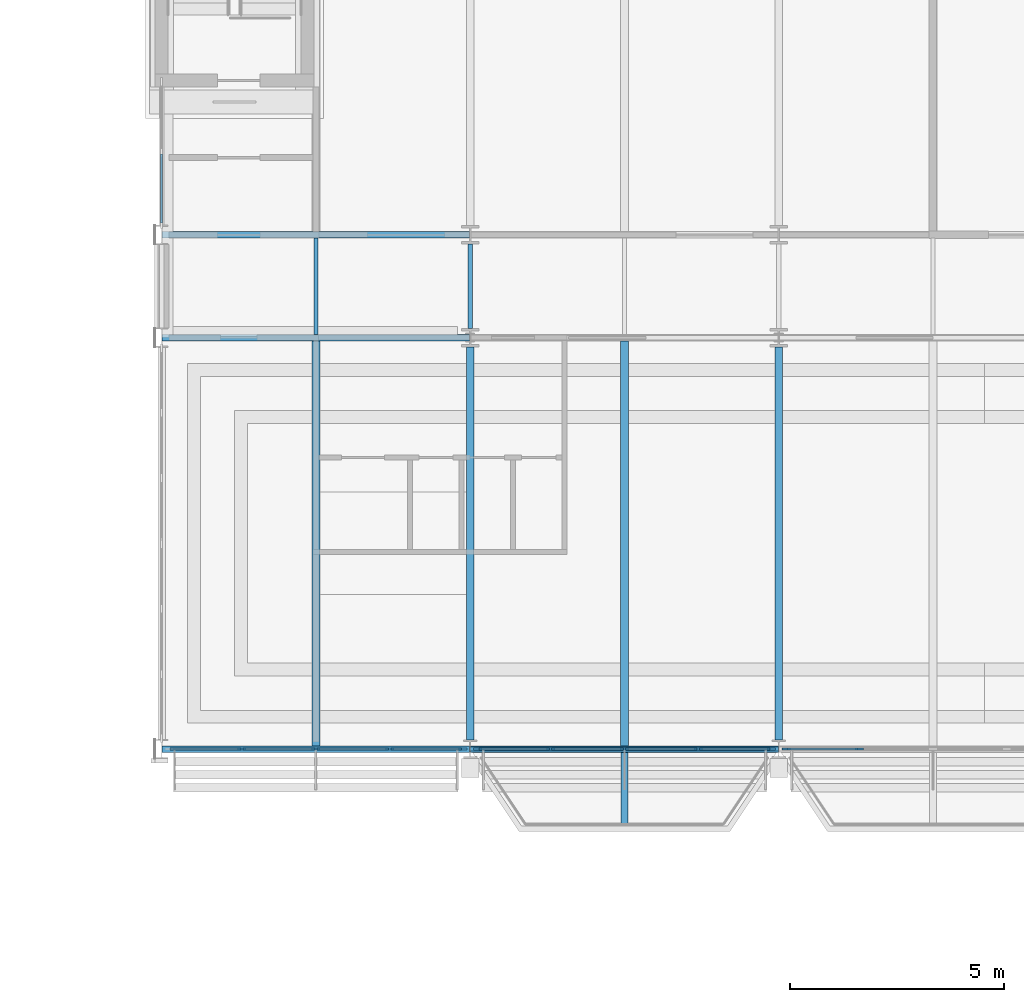
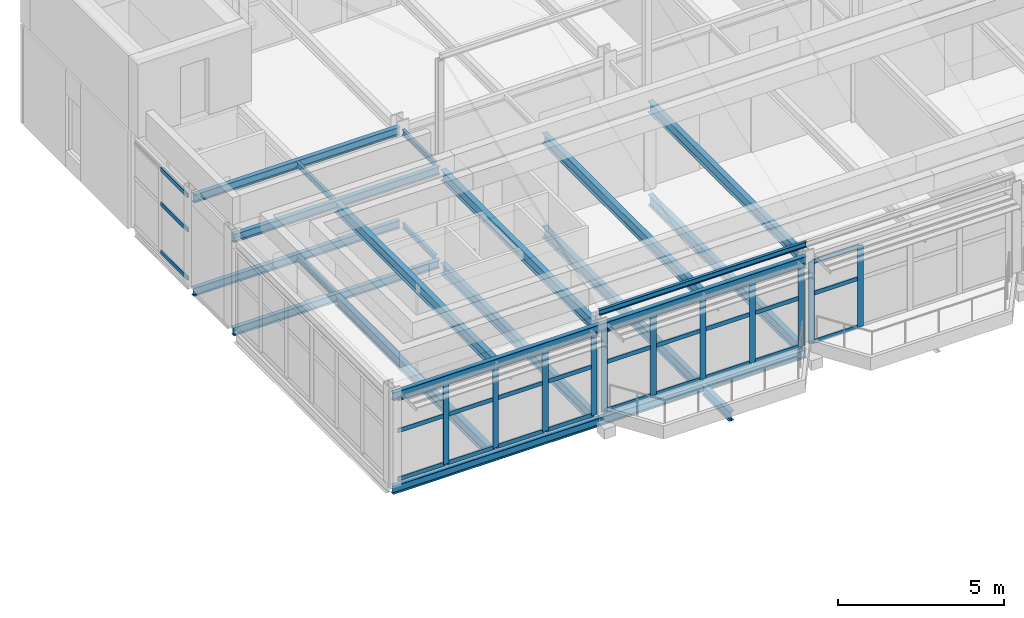
# One storey, part 28 of 68: 41 members, 22 beams, 4 elements without a shape of their own.
"""IFC4 building model written with IfcOpenShell, lengths in metres."""

from ifc_helpers import new_model, si_unit, direction, frame, origin, origin_2d, place, context, subcontext, project, spatial, rectangle, i_section, extrude, material, material_profile, profile_set, type_object, element, aggregate, save


model = new_model("IFC4")

# Units and contexts
model_context = context("Model", 3, precision=1e-05, world=origin(), true_north=direction((0.0, 1.0)))
body_context = subcontext(model_context, "Body", "Model", "MODEL_VIEW")
ifc_project = project(units=[si_unit("LENGTHUNIT", "METRE"), si_unit("AREAUNIT", "SQUARE_METRE"), si_unit("VOLUMEUNIT", "CUBIC_METRE"), si_unit("PLANEANGLEUNIT", "RADIAN"), si_unit("MASSUNIT", "GRAM", prefix="KILO")], contexts=[model_context])

# Site, building, storey
site_placement = place(None, origin())
site = spatial("IfcSite", under=ifc_project, at=site_placement, CompositionType="ELEMENT")
building_placement = place(site_placement, origin())
building = spatial("IfcBuilding", under=site, at=building_placement, Name="Kupolbacken Congress Centre", CompositionType="ELEMENT")
storey_placement = place(building_placement, frame((0.0, 0.0, 25.199951171875)))
storey = spatial("IfcBuildingStorey", under=building, at=storey_placement, Name="L07", CompositionType="ELEMENT", Elevation=25.199951171875)

# Beams
ifc_material_1 = material(Name="Steel S355", Category="steel")
ifc_material_profile_1 = material_profile(ifc_material_1, i_section(OverallWidth=0.10009765625, OverallDepth=0.199951171875, WebThickness=0.005615234375, FlangeThickness=0.008544921875, FilletRadius=0.011962890625, at=origin_2d()), Name="IPE 200")
ifc_profile_set_1 = profile_set([ifc_material_profile_1], Name="Steel S355")
beam_type_1 = type_object("IfcBeamType", Name="B01 beam IPE 200", PredefinedType="BEAM", material=ifc_profile_set_1)
beam_1_placement = place(storey_placement, frame((68.39990234375, 132.074951171875, -0.239990234375), z_axis=(0.0, 1.0, 0.0), x_axis=(-1.0, 0.0, 0.0)))
element("IfcBeam", 1, at=beam_1_placement, inside=storey, type_object=beam_type_1, Name="S/floor/T/L07/S037", PredefinedType="BEAM", context=body_context, shape_type="SweptSolid", body=[
    extrude(i_section(OverallWidth=0.10009765625, OverallDepth=0.199951171875, WebThickness=0.005615234375, FlangeThickness=0.008544921875, FilletRadius=0.011962890625, at=origin_2d()), origin(), (0.0, 0.0, 1.0), 2.25),
])
beam_2_placement = place(storey_placement, frame((72.0, 132.21240234375, -0.239990234375), z_axis=(0.0, 1.0, 0.0), x_axis=(-1.0, 0.0, 0.0)))
element("IfcBeam", 2, at=beam_2_placement, inside=storey, type_object=beam_type_1, Name="S/floor/T/L07/S040", PredefinedType="BEAM", context=body_context, shape_type="SweptSolid", body=[
    extrude(i_section(OverallWidth=0.10009765625, OverallDepth=0.199951171875, WebThickness=0.005615234375, FlangeThickness=0.008544921875, FilletRadius=0.011962890625, at=origin_2d()), origin(), (0.0, 0.0, 1.0), 1.97509765625),
])
beam_3_placement = place(storey_placement, frame((68.39990234375, 132.074951171875, 3.18994140625), z_axis=(0.0, 1.0, 0.0), x_axis=(-1.0, 0.0, 0.0)))
element("IfcBeam", 3, at=beam_3_placement, inside=storey, type_object=beam_type_1, Name="S/floor/T/ROOF/S037", PredefinedType="BEAM", context=body_context, shape_type="SweptSolid", body=[
    extrude(i_section(OverallWidth=0.10009765625, OverallDepth=0.199951171875, WebThickness=0.005615234375, FlangeThickness=0.008544921875, FilletRadius=0.011962890625, at=origin_2d()), origin(), (0.0, 0.0, 1.0), 2.25),
])
beam_4_placement = place(storey_placement, frame((72.0, 132.21240234375, 3.18994140625), z_axis=(0.0, 1.0, 0.0), x_axis=(-1.0, 0.0, 0.0)))
element("IfcBeam", 4, at=beam_4_placement, inside=storey, type_object=beam_type_1, Name="S/floor/T/ROOF/S040", PredefinedType="BEAM", context=body_context, shape_type="SweptSolid", body=[
    extrude(i_section(OverallWidth=0.10009765625, OverallDepth=0.199951171875, WebThickness=0.005615234375, FlangeThickness=0.008544921875, FilletRadius=0.011962890625, at=origin_2d()), origin(), (0.0, 0.0, 1.0), 1.97509765625),
])
beam_5_placement = place(storey_placement, frame((72.0, 122.39990234375, 3.699951171875), z_axis=(1.0, 0.0, 0.0), x_axis=(0.0, 1.0, 0.0)))
element("IfcBeam", 5, at=beam_5_placement, inside=storey, type_object=beam_type_1, Name="E/T/roof/R1/low0", PredefinedType="BEAM", context=body_context, shape_type="SweptSolid", body=[
    extrude(i_section(OverallWidth=0.10009765625, OverallDepth=0.199951171875, WebThickness=0.005615234375, FlangeThickness=0.008544921875, FilletRadius=0.011962890625, at=origin_2d()), origin(), (0.0, 0.0, 1.0), 7.199951171875),
])
ifc_material_2 = material(Name="Steel S355", Category="steel")
ifc_material_profile_2 = material_profile(ifc_material_2, i_section(OverallWidth=0.14990234375, OverallDepth=0.300048828125, WebThickness=0.007080078125, FlangeThickness=0.0107421875, FilletRadius=0.014892578125, at=origin_2d()), Name="IPE 300")
ifc_profile_set_2 = profile_set([ifc_material_profile_2], Name="Steel S355")
beam_type_2 = type_object("IfcBeamType", Name="B04 beam IPE 300", PredefinedType="BEAM", material=ifc_profile_set_2)
beam_6_placement = place(storey_placement, frame((64.806884765625, 122.39990234375, -0.2900390625), z_axis=(1.0, 0.0, 0.0), x_axis=(0.0, 1.0, 0.0)))
element("IfcBeam", 6, at=beam_6_placement, inside=storey, type_object=beam_type_2, Name="S/floor/T/L07/R001", PredefinedType="BEAM", context=body_context, shape_type="SweptSolid", body=[
    extrude(i_section(OverallWidth=0.14990234375, OverallDepth=0.300048828125, WebThickness=0.007080078125, FlangeThickness=0.0107421875, FilletRadius=0.014892578125, at=origin_2d()), origin(), (0.0, 0.0, 1.0), 7.1826171875),
])
beam_7_placement = place(storey_placement, frame((72.010498046875, 122.39990234375, -0.2900390625), z_axis=(1.0, 0.0, 0.0), x_axis=(0.0, 1.0, 0.0)))
element("IfcBeam", 7, at=beam_7_placement, inside=storey, type_object=beam_type_2, Name="S/floor/T/L07/R002", PredefinedType="BEAM", context=body_context, shape_type="SweptSolid", body=[
    extrude(i_section(OverallWidth=0.14990234375, OverallDepth=0.300048828125, WebThickness=0.007080078125, FlangeThickness=0.0107421875, FilletRadius=0.014892578125, at=origin_2d()), origin(), (0.0, 0.0, 1.0), 7.178955078125),
])
for number, where, z_axis, x_axis, name in (
    (8, (64.806884765625, 132.0, -0.2900390625), (1.0, 0.0, 0.0), (0.0, 1.0, 0.0), "S/floor/T/L07/R009"),
    (9, (64.806884765625, 134.39990234375, -0.2900390625), (1.0, 0.0, 0.0), (0.0, 1.0, 0.0), "S/floor/T/L07/R017"),
):
    element("IfcBeam", number, at=place(storey_placement, frame(where, z_axis=z_axis, x_axis=x_axis)), inside=storey, type_object=beam_type_2, Name=name, PredefinedType="BEAM", context=body_context, shape_type="SweptSolid", body=[
        extrude(i_section(OverallWidth=0.14990234375, OverallDepth=0.300048828125, WebThickness=0.007080078125, FlangeThickness=0.0107421875, FilletRadius=0.014892578125, at=origin_2d()), origin(), (0.0, 0.0, 1.0), 7.1767578125),
    ])
beam_8_placement = place(storey_placement, frame((64.806884765625, 122.39990234375, 3.14013671875), z_axis=(1.0, 0.0, 0.0), x_axis=(0.0, 1.0, 0.0)))
element("IfcBeam", 10, at=beam_8_placement, inside=storey, type_object=beam_type_2, Name="S/floor/T/ROOF/R001", PredefinedType="BEAM", context=body_context, shape_type="SweptSolid", body=[
    extrude(i_section(OverallWidth=0.14990234375, OverallDepth=0.300048828125, WebThickness=0.007080078125, FlangeThickness=0.0107421875, FilletRadius=0.014892578125, at=origin_2d()), origin(), (0.0, 0.0, 1.0), 7.1826171875),
])
beam_9_placement = place(storey_placement, frame((72.010498046875, 122.39990234375, 3.14013671875), z_axis=(1.0, 0.0, 0.0), x_axis=(0.0, 1.0, 0.0)))
element("IfcBeam", 11, at=beam_9_placement, inside=storey, type_object=beam_type_2, Name="S/floor/T/ROOF/R002", PredefinedType="BEAM", context=body_context, shape_type="SweptSolid", body=[
    extrude(i_section(OverallWidth=0.14990234375, OverallDepth=0.300048828125, WebThickness=0.007080078125, FlangeThickness=0.0107421875, FilletRadius=0.014892578125, at=origin_2d()), origin(), (0.0, 0.0, 1.0), 7.178955078125),
])
for number, where, z_axis, x_axis, name in (
    (12, (64.806884765625, 132.0, 3.14013671875), (1.0, 0.0, 0.0), (0.0, 1.0, 0.0), "S/floor/T/ROOF/R009"),
    (13, (64.806884765625, 134.39990234375, 3.14013671875), (1.0, 0.0, 0.0), (0.0, 1.0, 0.0), "S/floor/T/ROOF/R017"),
):
    element("IfcBeam", number, at=place(storey_placement, frame(where, z_axis=z_axis, x_axis=x_axis)), inside=storey, type_object=beam_type_2, Name=name, PredefinedType="BEAM", context=body_context, shape_type="SweptSolid", body=[
        extrude(i_section(OverallWidth=0.14990234375, OverallDepth=0.300048828125, WebThickness=0.007080078125, FlangeThickness=0.0107421875, FilletRadius=0.014892578125, at=origin_2d()), origin(), (0.0, 0.0, 1.0), 7.1767578125),
    ])
ifc_material_3 = material(Name="Steel S355", Category="steel")
ifc_material_profile_3 = material_profile(ifc_material_3, i_section(OverallWidth=0.169921875, OverallDepth=0.360107421875, WebThickness=0.008056640625, FlangeThickness=0.0126953125, FilletRadius=0.01806640625, at=origin_2d()), Name="IPE 360")
ifc_profile_set_3 = profile_set([ifc_material_profile_3], Name="Steel S355")
beam_type_3 = type_object("IfcBeamType", Name="B06 beam IPE 360", PredefinedType="BEAM", material=ifc_profile_set_3)
beam_10_placement = place(storey_placement, frame((75.60009765625, 122.324951171875, -0.320068359375), z_axis=(0.0, -1.0, 0.0), x_axis=(1.0, 0.0, 0.0)))
element("IfcBeam", 14, at=beam_10_placement, inside=storey, type_object=beam_type_3, Name="S/floor/T/L07/C082", PredefinedType="BEAM", context=body_context, shape_type="SweptSolid", body=[
    extrude(i_section(OverallWidth=0.169921875, OverallDepth=0.360107421875, WebThickness=0.008056640625, FlangeThickness=0.0126953125, FilletRadius=0.01806640625, at=origin_2d()), origin(), (0.0, 0.0, 1.0), 1.6650390625),
])
ifc_material_4 = material(Name="Steel S355", Category="steel")
ifc_material_profile_4 = material_profile(ifc_material_4, i_section(OverallWidth=0.179931640625, OverallDepth=0.39990234375, WebThickness=0.008544921875, FlangeThickness=0.013427734375, FilletRadius=0.02099609375, at=origin_2d()), Name="IPE 400")
ifc_profile_set_4 = profile_set([ifc_material_profile_4], Name="Steel S355")
beam_type_4 = type_object("IfcBeamType", Name="B07 beam IPE 400", PredefinedType="BEAM", material=ifc_profile_set_4)
beam_11_placement = place(storey_placement, frame((68.39990234375, 122.47509765625, -0.33984375), z_axis=(0.0, 1.0, 0.0), x_axis=(-1.0, 0.0, 0.0)))
element("IfcBeam", 15, at=beam_11_placement, inside=storey, type_object=beam_type_4, Name="S/floor/T/L07/S036", PredefinedType="BEAM", context=body_context, shape_type="SweptSolid", body=[
    extrude(i_section(OverallWidth=0.179931640625, OverallDepth=0.39990234375, WebThickness=0.008544921875, FlangeThickness=0.013427734375, FilletRadius=0.02099609375, at=origin_2d()), origin(), (0.0, 0.0, 1.0), 9.449951171875),
])
beam_12_placement = place(storey_placement, frame((72.0, 122.615966796875, -0.33984375), z_axis=(0.0, 1.0, 0.0), x_axis=(-1.0, 0.0, 0.0)))
element("IfcBeam", 16, at=beam_12_placement, inside=storey, type_object=beam_type_4, Name="S/floor/T/L07/S039", PredefinedType="BEAM", context=body_context, shape_type="SweptSolid", body=[
    extrude(i_section(OverallWidth=0.179931640625, OverallDepth=0.39990234375, WebThickness=0.008544921875, FlangeThickness=0.013427734375, FilletRadius=0.02099609375, at=origin_2d()), origin(), (0.0, 0.0, 1.0), 9.171630859375),
])
beam_13_placement = place(storey_placement, frame((75.60009765625, 122.47509765625, -0.33984375), z_axis=(0.0, 1.0, 0.0), x_axis=(-1.0, 0.0, 0.0)))
element("IfcBeam", 17, at=beam_13_placement, inside=storey, type_object=beam_type_4, Name="S/floor/T/L07/S042", PredefinedType="BEAM", context=body_context, shape_type="SweptSolid", body=[
    extrude(i_section(OverallWidth=0.179931640625, OverallDepth=0.39990234375, WebThickness=0.008544921875, FlangeThickness=0.013427734375, FilletRadius=0.02099609375, at=origin_2d()), origin(), (0.0, 0.0, 1.0), 9.449951171875),
])
beam_14_placement = place(storey_placement, frame((79.199951171875, 122.615966796875, -0.33984375), z_axis=(0.0, 1.0, 0.0), x_axis=(-1.0, 0.0, 0.0)))
element("IfcBeam", 18, at=beam_14_placement, inside=storey, type_object=beam_type_4, Name="S/floor/T/L07/S045", PredefinedType="BEAM", context=body_context, shape_type="SweptSolid", body=[
    extrude(i_section(OverallWidth=0.179931640625, OverallDepth=0.39990234375, WebThickness=0.008544921875, FlangeThickness=0.013427734375, FilletRadius=0.02099609375, at=origin_2d()), origin(), (0.0, 0.0, 1.0), 9.171630859375),
])
beam_15_placement = place(storey_placement, frame((68.39990234375, 122.47509765625, 3.090087890625), z_axis=(0.0, 1.0, 0.0), x_axis=(-1.0, 0.0, 0.0)))
element("IfcBeam", 19, at=beam_15_placement, inside=storey, type_object=beam_type_4, Name="S/floor/T/ROOF/S036", PredefinedType="BEAM", context=body_context, shape_type="SweptSolid", body=[
    extrude(i_section(OverallWidth=0.179931640625, OverallDepth=0.39990234375, WebThickness=0.008544921875, FlangeThickness=0.013427734375, FilletRadius=0.02099609375, at=origin_2d()), origin(), (0.0, 0.0, 1.0), 9.449951171875),
])
beam_16_placement = place(storey_placement, frame((72.0, 122.615966796875, 3.090087890625), z_axis=(0.0, 1.0, 0.0), x_axis=(-1.0, 0.0, 0.0)))
element("IfcBeam", 20, at=beam_16_placement, inside=storey, type_object=beam_type_4, Name="S/floor/T/ROOF/S039", PredefinedType="BEAM", context=body_context, shape_type="SweptSolid", body=[
    extrude(i_section(OverallWidth=0.179931640625, OverallDepth=0.39990234375, WebThickness=0.008544921875, FlangeThickness=0.013427734375, FilletRadius=0.02099609375, at=origin_2d()), origin(), (0.0, 0.0, 1.0), 9.171630859375),
])
beam_17_placement = place(storey_placement, frame((75.60009765625, 122.47509765625, 3.090087890625), z_axis=(0.0, 1.0, 0.0), x_axis=(-1.0, 0.0, 0.0)))
element("IfcBeam", 21, at=beam_17_placement, inside=storey, type_object=beam_type_4, Name="S/floor/T/ROOF/S042", PredefinedType="BEAM", context=body_context, shape_type="SweptSolid", body=[
    extrude(i_section(OverallWidth=0.179931640625, OverallDepth=0.39990234375, WebThickness=0.008544921875, FlangeThickness=0.013427734375, FilletRadius=0.02099609375, at=origin_2d()), origin(), (0.0, 0.0, 1.0), 9.449951171875),
])
beam_18_placement = place(storey_placement, frame((79.199951171875, 122.615966796875, 3.090087890625), z_axis=(0.0, 1.0, 0.0), x_axis=(-1.0, 0.0, 0.0)))
element("IfcBeam", 22, at=beam_18_placement, inside=storey, type_object=beam_type_4, Name="S/floor/T/ROOF/S045", PredefinedType="BEAM", context=body_context, shape_type="SweptSolid", body=[
    extrude(i_section(OverallWidth=0.179931640625, OverallDepth=0.39990234375, WebThickness=0.008544921875, FlangeThickness=0.013427734375, FilletRadius=0.02099609375, at=origin_2d()), origin(), (0.0, 0.0, 1.0), 9.171630859375),
])

# Curtain wall, members
ifc_material_5 = material(Name="Aluminium mullion-transom frame with glass", Category="aluminium")
curtain_wall_type = type_object("IfcCurtainWallType", Name="CW1 curtain wall 7200x3600", PredefinedType="NOTDEFINED", material=ifc_material_5)
curtain_wall_1_placement = place(storey_placement, origin())
curtain_wall_1 = element("IfcCurtainWall", 23, at=curtain_wall_1_placement, inside=storey, type_object=curtain_wall_type, Name="E/T/S/L07/112/g0", PredefinedType="NOTDEFINED")
ifc_material_6 = material(Name="Aluminium alloy", Category="aluminium")
ifc_material_profile_5 = material_profile(ifc_material_6, rectangle(XDim=0.050048828125, YDim=0.199951171875, at=origin_2d()), Name="50 x 200")
ifc_profile_set_5 = profile_set([ifc_material_profile_5], Name="Aluminium alloy")
member_type_1 = type_object("IfcMemberType", Name="MU2 mullion 50x200", PredefinedType="MULLION", material=ifc_profile_set_5)
member_1_placement = place(storey_placement, frame((66.674072265625, 122.39990234375, 0.0), z_axis=(0.0, 0.0, 1.0), x_axis=(0.0, 1.0, 0.0)))
member_1 = element("IfcMember", 24, at=member_1_placement, type_object=member_type_1, Name="CW1 mullion 2", PredefinedType="MULLION", context=body_context, shape_type="SweptSolid", body=[
    extrude(rectangle(XDim=0.050048828125, YDim=0.199951171875, at=origin_2d()), origin(), (0.0, 0.0, 1.0), 2.989990234375),
])
member_2_placement = place(storey_placement, frame((68.398193359375, 122.39990234375, 0.0), z_axis=(0.0, 0.0, 1.0), x_axis=(0.0, 1.0, 0.0)))
member_2 = element("IfcMember", 25, at=member_2_placement, type_object=member_type_1, Name="CW1 mullion 3", PredefinedType="MULLION", context=body_context, shape_type="SweptSolid", body=[
    extrude(rectangle(XDim=0.050048828125, YDim=0.199951171875, at=origin_2d()), origin(), (0.0, 0.0, 1.0), 2.989990234375),
])
member_3_placement = place(storey_placement, frame((70.122314453125, 122.39990234375, 0.0), z_axis=(0.0, 0.0, 1.0), x_axis=(0.0, 1.0, 0.0)))
member_3 = element("IfcMember", 26, at=member_3_placement, type_object=member_type_1, Name="CW1 mullion 4", PredefinedType="MULLION", context=body_context, shape_type="SweptSolid", body=[
    extrude(rectangle(XDim=0.050048828125, YDim=0.199951171875, at=origin_2d()), origin(), (0.0, 0.0, 1.0), 2.989990234375),
])
member_4_placement = place(storey_placement, frame((71.821533203125, 122.39990234375, 0.0), z_axis=(0.0, 0.0, 1.0), x_axis=(0.0, 1.0, 0.0)))
member_4 = element("IfcMember", 27, at=member_4_placement, type_object=member_type_1, Name="CW1 mullion 5", PredefinedType="MULLION", context=body_context, shape_type="SweptSolid", body=[
    extrude(rectangle(XDim=0.050048828125, YDim=0.199951171875, at=origin_2d()), origin(), (0.0, 0.0, 1.0), 2.989990234375),
])

curtain_wall_2_placement = place(storey_placement, origin())
curtain_wall_2 = element("IfcCurtainWall", 28, at=curtain_wall_2_placement, inside=storey, type_object=curtain_wall_type, Name="E/T/S/L07/113/g0", PredefinedType="NOTDEFINED")
member_5_placement = place(storey_placement, frame((72.178466796875, 122.39990234375, 0.0), z_axis=(0.0, 0.0, 1.0), x_axis=(0.0, 1.0, 0.0)))
member_5 = element("IfcMember", 29, at=member_5_placement, type_object=member_type_1, Name="CW1 mullion 1", PredefinedType="MULLION", context=body_context, shape_type="SweptSolid", body=[
    extrude(rectangle(XDim=0.050048828125, YDim=0.199951171875, at=origin_2d()), origin(), (0.0, 0.0, 1.0), 2.989990234375),
])
member_6_placement = place(storey_placement, frame((73.876708984375, 122.39990234375, 0.0), z_axis=(0.0, 0.0, 1.0), x_axis=(0.0, 1.0, 0.0)))
member_6 = element("IfcMember", 30, at=member_6_placement, type_object=member_type_1, Name="CW1 mullion 2", PredefinedType="MULLION", context=body_context, shape_type="SweptSolid", body=[
    extrude(rectangle(XDim=0.050048828125, YDim=0.199951171875, at=origin_2d()), origin(), (0.0, 0.0, 1.0), 2.989990234375),
])
member_7_placement = place(storey_placement, frame((75.60009765625, 122.39990234375, 0.0), z_axis=(0.0, 0.0, 1.0), x_axis=(0.0, 1.0, 0.0)))
member_7 = element("IfcMember", 31, at=member_7_placement, type_object=member_type_1, Name="CW1 mullion 3", PredefinedType="MULLION", context=body_context, shape_type="SweptSolid", body=[
    extrude(rectangle(XDim=0.050048828125, YDim=0.199951171875, at=origin_2d()), origin(), (0.0, 0.0, 1.0), 2.989990234375),
])
member_8_placement = place(storey_placement, frame((77.3232421875, 122.39990234375, 0.0), z_axis=(0.0, 0.0, 1.0), x_axis=(0.0, 1.0, 0.0)))
member_8 = element("IfcMember", 32, at=member_8_placement, type_object=member_type_1, Name="CW1 mullion 4", PredefinedType="MULLION", context=body_context, shape_type="SweptSolid", body=[
    extrude(rectangle(XDim=0.050048828125, YDim=0.199951171875, at=origin_2d()), origin(), (0.0, 0.0, 1.0), 2.989990234375),
])
member_9_placement = place(storey_placement, frame((79.021484375, 122.39990234375, 0.0), z_axis=(0.0, 0.0, 1.0), x_axis=(0.0, 1.0, 0.0)))
member_9 = element("IfcMember", 33, at=member_9_placement, type_object=member_type_1, Name="CW1 mullion 5", PredefinedType="MULLION", context=body_context, shape_type="SweptSolid", body=[
    extrude(rectangle(XDim=0.050048828125, YDim=0.199951171875, at=origin_2d()), origin(), (0.0, 0.0, 1.0), 2.989990234375),
])

curtain_wall_3_placement = place(storey_placement, origin())
curtain_wall_3 = element("IfcCurtainWall", 34, at=curtain_wall_3_placement, inside=storey, type_object=curtain_wall_type, Name="E/T/S/L07/114/g0", PredefinedType="NOTDEFINED")
member_10_placement = place(storey_placement, frame((79.37841796875, 122.39990234375, 0.0), z_axis=(0.0, 0.0, 1.0), x_axis=(0.0, 1.0, 0.0)))
member_10 = element("IfcMember", 35, at=member_10_placement, type_object=member_type_1, Name="CW1 mullion 1", PredefinedType="MULLION", context=body_context, shape_type="SweptSolid", body=[
    extrude(rectangle(XDim=0.050048828125, YDim=0.199951171875, at=origin_2d()), origin(), (0.0, 0.0, 1.0), 2.989990234375),
])
member_11_placement = place(storey_placement, frame((81.07666015625, 122.39990234375, 0.0), z_axis=(0.0, 0.0, 1.0), x_axis=(0.0, 1.0, 0.0)))
member_11 = element("IfcMember", 36, at=member_11_placement, type_object=member_type_1, Name="CW1 mullion 2", PredefinedType="MULLION", context=body_context, shape_type="SweptSolid", body=[
    extrude(rectangle(XDim=0.050048828125, YDim=0.199951171875, at=origin_2d()), origin(), (0.0, 0.0, 1.0), 2.989990234375),
])

# Member
ifc_material_7 = material(Name="Aluminium alloy", Category="aluminium")
ifc_material_profile_6 = material_profile(ifc_material_7, rectangle(XDim=0.050048828125, YDim=0.14990234375, at=origin_2d()), Name="50 x 150")
ifc_profile_set_6 = profile_set([ifc_material_profile_6], Name="Aluminium alloy")
member_type_2 = type_object("IfcMemberType", Name="TR2 transom 50x150", PredefinedType="MULLION", material=ifc_profile_set_6)
member_12_placement = place(storey_placement, frame((65.0, 122.39990234375, 0.025146484375), z_axis=(1.0, 0.0, 0.0), x_axis=(0.0, 1.0, 0.0)))
member_12 = element("IfcMember", 37, at=member_12_placement, type_object=member_type_2, Name="CW1 transom 1.1", PredefinedType="MULLION", context=body_context, shape_type="SweptSolid", body=[
    extrude(rectangle(XDim=0.050048828125, YDim=0.14990234375, at=origin_2d()), origin(), (0.0, 0.0, 1.0), 1.649169921875),
])

member_13_placement = place(storey_placement, frame((65.0, 122.39990234375, 1.800048828125), z_axis=(1.0, 0.0, 0.0), x_axis=(0.0, 1.0, 0.0)))
member_13 = element("IfcMember", 38, at=member_13_placement, type_object=member_type_2, Name="CW1 transom 1.2", PredefinedType="MULLION", context=body_context, shape_type="SweptSolid", body=[
    extrude(rectangle(XDim=0.050048828125, YDim=0.14990234375, at=origin_2d()), origin(), (0.0, 0.0, 1.0), 1.649169921875),
])

member_14_placement = place(storey_placement, frame((65.0, 122.39990234375, 2.965087890625), z_axis=(1.0, 0.0, 0.0), x_axis=(0.0, 1.0, 0.0)))
member_14 = element("IfcMember", 39, at=member_14_placement, type_object=member_type_2, Name="CW1 transom 1.3", PredefinedType="MULLION", context=body_context, shape_type="SweptSolid", body=[
    extrude(rectangle(XDim=0.050048828125, YDim=0.14990234375, at=origin_2d()), origin(), (0.0, 0.0, 1.0), 1.649169921875),
])

member_15_placement = place(storey_placement, frame((66.69921875, 122.39990234375, 0.025146484375), z_axis=(1.0, 0.0, 0.0), x_axis=(0.0, 1.0, 0.0)))
member_15 = element("IfcMember", 40, at=member_15_placement, type_object=member_type_2, Name="CW1 transom 2.1", PredefinedType="MULLION", context=body_context, shape_type="SweptSolid", body=[
    extrude(rectangle(XDim=0.050048828125, YDim=0.14990234375, at=origin_2d()), origin(), (0.0, 0.0, 1.0), 1.674072265625),
])

member_16_placement = place(storey_placement, frame((66.69921875, 122.39990234375, 1.800048828125), z_axis=(1.0, 0.0, 0.0), x_axis=(0.0, 1.0, 0.0)))
member_16 = element("IfcMember", 41, at=member_16_placement, type_object=member_type_2, Name="CW1 transom 2.2", PredefinedType="MULLION", context=body_context, shape_type="SweptSolid", body=[
    extrude(rectangle(XDim=0.050048828125, YDim=0.14990234375, at=origin_2d()), origin(), (0.0, 0.0, 1.0), 1.674072265625),
])

member_17_placement = place(storey_placement, frame((66.69921875, 122.39990234375, 2.965087890625), z_axis=(1.0, 0.0, 0.0), x_axis=(0.0, 1.0, 0.0)))
member_17 = element("IfcMember", 42, at=member_17_placement, type_object=member_type_2, Name="CW1 transom 2.3", PredefinedType="MULLION", context=body_context, shape_type="SweptSolid", body=[
    extrude(rectangle(XDim=0.050048828125, YDim=0.14990234375, at=origin_2d()), origin(), (0.0, 0.0, 1.0), 1.674072265625),
])

member_18_placement = place(storey_placement, frame((68.42333984375, 122.39990234375, 0.025146484375), z_axis=(1.0, 0.0, 0.0), x_axis=(0.0, 1.0, 0.0)))
member_18 = element("IfcMember", 43, at=member_18_placement, type_object=member_type_2, Name="CW1 transom 3.1", PredefinedType="MULLION", context=body_context, shape_type="SweptSolid", body=[
    extrude(rectangle(XDim=0.050048828125, YDim=0.14990234375, at=origin_2d()), origin(), (0.0, 0.0, 1.0), 1.674072265625),
])

member_19_placement = place(storey_placement, frame((68.42333984375, 122.39990234375, 1.800048828125), z_axis=(1.0, 0.0, 0.0), x_axis=(0.0, 1.0, 0.0)))
member_19 = element("IfcMember", 44, at=member_19_placement, type_object=member_type_2, Name="CW1 transom 3.2", PredefinedType="MULLION", context=body_context, shape_type="SweptSolid", body=[
    extrude(rectangle(XDim=0.050048828125, YDim=0.14990234375, at=origin_2d()), origin(), (0.0, 0.0, 1.0), 1.674072265625),
])

member_20_placement = place(storey_placement, frame((68.42333984375, 122.39990234375, 2.965087890625), z_axis=(1.0, 0.0, 0.0), x_axis=(0.0, 1.0, 0.0)))
member_20 = element("IfcMember", 45, at=member_20_placement, type_object=member_type_2, Name="CW1 transom 3.3", PredefinedType="MULLION", context=body_context, shape_type="SweptSolid", body=[
    extrude(rectangle(XDim=0.050048828125, YDim=0.14990234375, at=origin_2d()), origin(), (0.0, 0.0, 1.0), 1.674072265625),
])

member_21_placement = place(storey_placement, frame((70.1474609375, 122.39990234375, 0.025146484375), z_axis=(1.0, 0.0, 0.0), x_axis=(0.0, 1.0, 0.0)))
member_21 = element("IfcMember", 46, at=member_21_placement, type_object=member_type_2, Name="CW1 transom 4.1", PredefinedType="MULLION", context=body_context, shape_type="SweptSolid", body=[
    extrude(rectangle(XDim=0.050048828125, YDim=0.14990234375, at=origin_2d()), origin(), (0.0, 0.0, 1.0), 1.64892578125),
])

member_22_placement = place(storey_placement, frame((70.1474609375, 122.39990234375, 1.800048828125), z_axis=(1.0, 0.0, 0.0), x_axis=(0.0, 1.0, 0.0)))
member_22 = element("IfcMember", 47, at=member_22_placement, type_object=member_type_2, Name="CW1 transom 4.2", PredefinedType="MULLION", context=body_context, shape_type="SweptSolid", body=[
    extrude(rectangle(XDim=0.050048828125, YDim=0.14990234375, at=origin_2d()), origin(), (0.0, 0.0, 1.0), 1.64892578125),
])

member_23_placement = place(storey_placement, frame((70.1474609375, 122.39990234375, 2.965087890625), z_axis=(1.0, 0.0, 0.0), x_axis=(0.0, 1.0, 0.0)))
member_23 = element("IfcMember", 48, at=member_23_placement, type_object=member_type_2, Name="CW1 transom 4.3", PredefinedType="MULLION", context=body_context, shape_type="SweptSolid", body=[
    extrude(rectangle(XDim=0.050048828125, YDim=0.14990234375, at=origin_2d()), origin(), (0.0, 0.0, 1.0), 1.64892578125),
])

aggregate(curtain_wall_1, [member_1, member_2, member_3, member_4, member_12, member_13, member_14, member_15, member_16, member_17, member_18, member_19, member_20, member_21, member_22, member_23])

member_24_placement = place(storey_placement, frame((72.20361328125, 122.39990234375, 0.025146484375), z_axis=(1.0, 0.0, 0.0), x_axis=(0.0, 1.0, 0.0)))
member_24 = element("IfcMember", 49, at=member_24_placement, type_object=member_type_2, Name="CW1 transom 1.1", PredefinedType="MULLION", context=body_context, shape_type="SweptSolid", body=[
    extrude(rectangle(XDim=0.050048828125, YDim=0.14990234375, at=origin_2d()), origin(), (0.0, 0.0, 1.0), 1.648193359375),
])

member_25_placement = place(storey_placement, frame((72.20361328125, 122.39990234375, 1.800048828125), z_axis=(1.0, 0.0, 0.0), x_axis=(0.0, 1.0, 0.0)))
member_25 = element("IfcMember", 50, at=member_25_placement, type_object=member_type_2, Name="CW1 transom 1.2", PredefinedType="MULLION", context=body_context, shape_type="SweptSolid", body=[
    extrude(rectangle(XDim=0.050048828125, YDim=0.14990234375, at=origin_2d()), origin(), (0.0, 0.0, 1.0), 1.648193359375),
])

member_26_placement = place(storey_placement, frame((72.20361328125, 122.39990234375, 2.965087890625), z_axis=(1.0, 0.0, 0.0), x_axis=(0.0, 1.0, 0.0)))
member_26 = element("IfcMember", 51, at=member_26_placement, type_object=member_type_2, Name="CW1 transom 1.3", PredefinedType="MULLION", context=body_context, shape_type="SweptSolid", body=[
    extrude(rectangle(XDim=0.050048828125, YDim=0.14990234375, at=origin_2d()), origin(), (0.0, 0.0, 1.0), 1.648193359375),
])

member_27_placement = place(storey_placement, frame((73.90185546875, 122.39990234375, 0.025146484375), z_axis=(1.0, 0.0, 0.0), x_axis=(0.0, 1.0, 0.0)))
member_27 = element("IfcMember", 52, at=member_27_placement, type_object=member_type_2, Name="CW1 transom 2.1", PredefinedType="MULLION", context=body_context, shape_type="SweptSolid", body=[
    extrude(rectangle(XDim=0.050048828125, YDim=0.14990234375, at=origin_2d()), origin(), (0.0, 0.0, 1.0), 1.673095703125),
])

member_28_placement = place(storey_placement, frame((73.90185546875, 122.39990234375, 1.800048828125), z_axis=(1.0, 0.0, 0.0), x_axis=(0.0, 1.0, 0.0)))
member_28 = element("IfcMember", 53, at=member_28_placement, type_object=member_type_2, Name="CW1 transom 2.2", PredefinedType="MULLION", context=body_context, shape_type="SweptSolid", body=[
    extrude(rectangle(XDim=0.050048828125, YDim=0.14990234375, at=origin_2d()), origin(), (0.0, 0.0, 1.0), 1.673095703125),
])

member_29_placement = place(storey_placement, frame((73.90185546875, 122.39990234375, 2.965087890625), z_axis=(1.0, 0.0, 0.0), x_axis=(0.0, 1.0, 0.0)))
member_29 = element("IfcMember", 54, at=member_29_placement, type_object=member_type_2, Name="CW1 transom 2.3", PredefinedType="MULLION", context=body_context, shape_type="SweptSolid", body=[
    extrude(rectangle(XDim=0.050048828125, YDim=0.14990234375, at=origin_2d()), origin(), (0.0, 0.0, 1.0), 1.673095703125),
])

member_30_placement = place(storey_placement, frame((75.625, 122.39990234375, 0.025146484375), z_axis=(1.0, 0.0, 0.0), x_axis=(0.0, 1.0, 0.0)))
member_30 = element("IfcMember", 55, at=member_30_placement, type_object=member_type_2, Name="CW1 transom 3.1", PredefinedType="MULLION", context=body_context, shape_type="SweptSolid", body=[
    extrude(rectangle(XDim=0.050048828125, YDim=0.14990234375, at=origin_2d()), origin(), (0.0, 0.0, 1.0), 1.67333984375),
])

member_31_placement = place(storey_placement, frame((75.625, 122.39990234375, 1.800048828125), z_axis=(1.0, 0.0, 0.0), x_axis=(0.0, 1.0, 0.0)))
member_31 = element("IfcMember", 56, at=member_31_placement, type_object=member_type_2, Name="CW1 transom 3.2", PredefinedType="MULLION", context=body_context, shape_type="SweptSolid", body=[
    extrude(rectangle(XDim=0.050048828125, YDim=0.14990234375, at=origin_2d()), origin(), (0.0, 0.0, 1.0), 1.67333984375),
])

member_32_placement = place(storey_placement, frame((75.625, 122.39990234375, 2.965087890625), z_axis=(1.0, 0.0, 0.0), x_axis=(0.0, 1.0, 0.0)))
member_32 = element("IfcMember", 57, at=member_32_placement, type_object=member_type_2, Name="CW1 transom 3.3", PredefinedType="MULLION", context=body_context, shape_type="SweptSolid", body=[
    extrude(rectangle(XDim=0.050048828125, YDim=0.14990234375, at=origin_2d()), origin(), (0.0, 0.0, 1.0), 1.67333984375),
])

member_33_placement = place(storey_placement, frame((77.34814453125, 122.39990234375, 0.025146484375), z_axis=(1.0, 0.0, 0.0), x_axis=(0.0, 1.0, 0.0)))
member_33 = element("IfcMember", 58, at=member_33_placement, type_object=member_type_2, Name="CW1 transom 4.1", PredefinedType="MULLION", context=body_context, shape_type="SweptSolid", body=[
    extrude(rectangle(XDim=0.050048828125, YDim=0.14990234375, at=origin_2d()), origin(), (0.0, 0.0, 1.0), 1.6484375),
])

member_34_placement = place(storey_placement, frame((77.34814453125, 122.39990234375, 1.800048828125), z_axis=(1.0, 0.0, 0.0), x_axis=(0.0, 1.0, 0.0)))
member_34 = element("IfcMember", 59, at=member_34_placement, type_object=member_type_2, Name="CW1 transom 4.2", PredefinedType="MULLION", context=body_context, shape_type="SweptSolid", body=[
    extrude(rectangle(XDim=0.050048828125, YDim=0.14990234375, at=origin_2d()), origin(), (0.0, 0.0, 1.0), 1.6484375),
])

member_35_placement = place(storey_placement, frame((77.34814453125, 122.39990234375, 2.965087890625), z_axis=(1.0, 0.0, 0.0), x_axis=(0.0, 1.0, 0.0)))
member_35 = element("IfcMember", 60, at=member_35_placement, type_object=member_type_2, Name="CW1 transom 4.3", PredefinedType="MULLION", context=body_context, shape_type="SweptSolid", body=[
    extrude(rectangle(XDim=0.050048828125, YDim=0.14990234375, at=origin_2d()), origin(), (0.0, 0.0, 1.0), 1.6484375),
])

aggregate(curtain_wall_2, [member_5, member_6, member_7, member_8, member_9, member_24, member_25, member_26, member_27, member_28, member_29, member_30, member_31, member_32, member_33, member_34, member_35])

member_36_placement = place(storey_placement, frame((79.403564453125, 122.39990234375, 0.025146484375), z_axis=(1.0, 0.0, 0.0), x_axis=(0.0, 1.0, 0.0)))
member_36 = element("IfcMember", 61, at=member_36_placement, type_object=member_type_2, Name="CW1 transom 1.1", PredefinedType="MULLION", context=body_context, shape_type="SweptSolid", body=[
    extrude(rectangle(XDim=0.050048828125, YDim=0.14990234375, at=origin_2d()), origin(), (0.0, 0.0, 1.0), 1.648193359375),
])

member_37_placement = place(storey_placement, frame((79.403564453125, 122.39990234375, 1.800048828125), z_axis=(1.0, 0.0, 0.0), x_axis=(0.0, 1.0, 0.0)))
member_37 = element("IfcMember", 62, at=member_37_placement, type_object=member_type_2, Name="CW1 transom 1.2", PredefinedType="MULLION", context=body_context, shape_type="SweptSolid", body=[
    extrude(rectangle(XDim=0.050048828125, YDim=0.14990234375, at=origin_2d()), origin(), (0.0, 0.0, 1.0), 1.648193359375),
])

member_38_placement = place(storey_placement, frame((79.403564453125, 122.39990234375, 2.965087890625), z_axis=(1.0, 0.0, 0.0), x_axis=(0.0, 1.0, 0.0)))
member_38 = element("IfcMember", 63, at=member_38_placement, type_object=member_type_2, Name="CW1 transom 1.3", PredefinedType="MULLION", context=body_context, shape_type="SweptSolid", body=[
    extrude(rectangle(XDim=0.050048828125, YDim=0.14990234375, at=origin_2d()), origin(), (0.0, 0.0, 1.0), 1.648193359375),
])

aggregate(curtain_wall_3, [member_10, member_11, member_36, member_37, member_38])

# Curtain wall, members
curtain_wall_4_placement = place(storey_placement, origin())
curtain_wall_4 = element("IfcCurtainWall", 64, at=curtain_wall_4_placement, inside=storey, type_object=curtain_wall_type, Name="E/T/W/L07/121/g0", PredefinedType="NOTDEFINED")
member_39_placement = place(storey_placement, frame((64.800048828125, 136.28759765625, 0.025146484375), z_axis=(0.0, -1.0, 0.0), x_axis=(1.0, 0.0, 0.0)))
member_39 = element("IfcMember", 65, at=member_39_placement, type_object=member_type_2, Name="CW1 transom 2.1", PredefinedType="MULLION", context=body_context, shape_type="SweptSolid", body=[
    extrude(rectangle(XDim=0.050048828125, YDim=0.14990234375, at=origin_2d()), origin(), (0.0, 0.0, 1.0), 1.612548828125),
])
member_40_placement = place(storey_placement, frame((64.800048828125, 136.28759765625, 1.800048828125), z_axis=(0.0, -1.0, 0.0), x_axis=(1.0, 0.0, 0.0)))
member_40 = element("IfcMember", 66, at=member_40_placement, type_object=member_type_2, Name="CW1 transom 2.2", PredefinedType="MULLION", context=body_context, shape_type="SweptSolid", body=[
    extrude(rectangle(XDim=0.050048828125, YDim=0.14990234375, at=origin_2d()), origin(), (0.0, 0.0, 1.0), 1.612548828125),
])
member_41_placement = place(storey_placement, frame((64.800048828125, 136.28759765625, 3.06494140625), z_axis=(0.0, -1.0, 0.0), x_axis=(1.0, 0.0, 0.0)))
member_41 = element("IfcMember", 67, at=member_41_placement, type_object=member_type_2, Name="CW1 transom 2.3", PredefinedType="MULLION", context=body_context, shape_type="SweptSolid", body=[
    extrude(rectangle(XDim=0.050048828125, YDim=0.14990234375, at=origin_2d()), origin(), (0.0, 0.0, 1.0), 1.612548828125),
])
aggregate(curtain_wall_4, [member_39, member_40, member_41])

save(model, "model.ifc")
